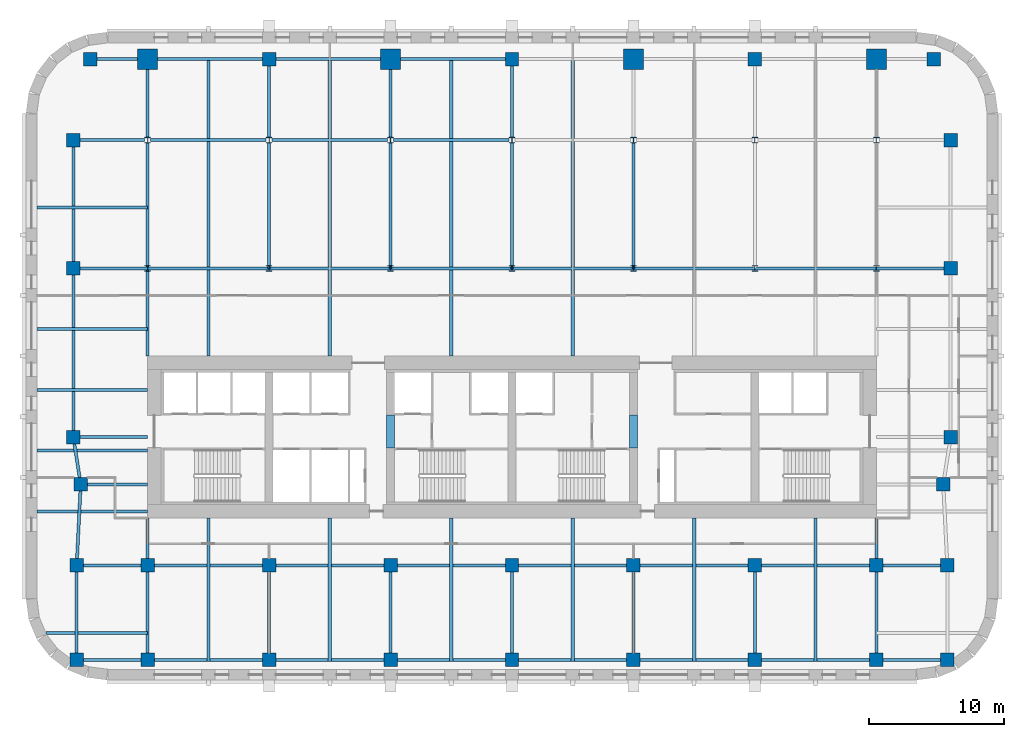
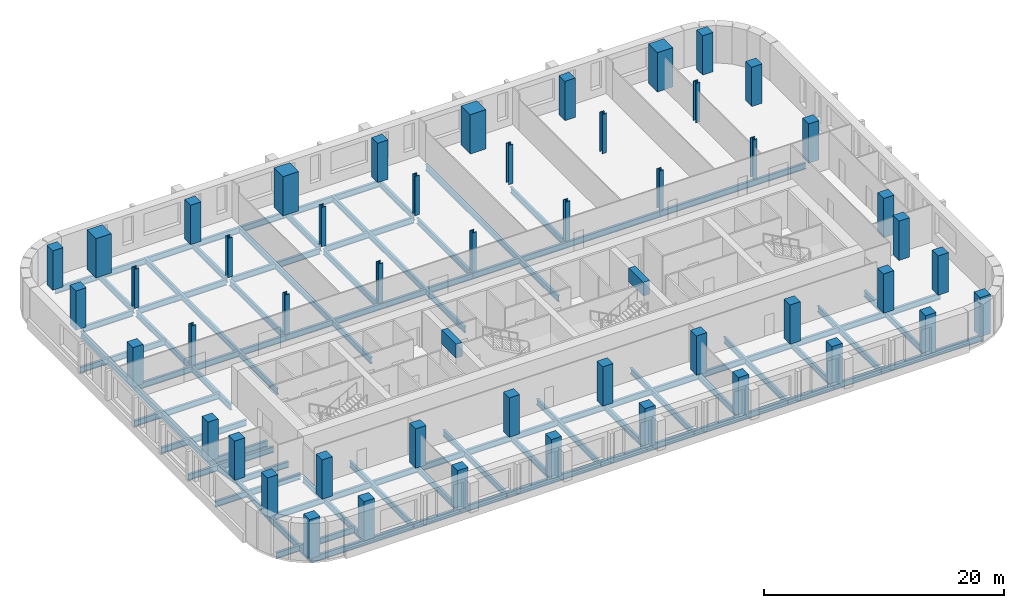
# One storey, part 1 of 9: 59 beams, 49 columns.
"""IFC4 building model written with IfcOpenShell, lengths in metres."""

from ifc_helpers import new_model, si_unit, direction, frame, origin, origin_2d, place, context, subcontext, project, spatial, rectangle, i_section, extrude, material, material_profile, profile_set, type_object, element, save


model = new_model("IFC4")

# Units and contexts
model_context = context("Model", 3, precision=1e-05, world=origin(), true_north=direction((0.0, 1.0)))
body_context = subcontext(model_context, "Body", "Model", "MODEL_VIEW")
ifc_project = project(units=[si_unit("LENGTHUNIT", "METRE"), si_unit("AREAUNIT", "SQUARE_METRE"), si_unit("VOLUMEUNIT", "CUBIC_METRE"), si_unit("PLANEANGLEUNIT", "RADIAN"), si_unit("MASSUNIT", "GRAM", prefix="KILO")], contexts=[model_context])

# Site, building, storey
site_placement = place(None, origin())
site = spatial("IfcSite", under=ifc_project, at=site_placement, CompositionType="ELEMENT")
building_placement = place(site_placement, origin())
building = spatial("IfcBuilding", under=site, at=building_placement, Name="Zellij Exchange Tower", CompositionType="ELEMENT")
storey_placement = place(building_placement, frame((0.0, 0.0, 148.5)))
storey = spatial("IfcBuildingStorey", under=building, at=storey_placement, Name="L33", CompositionType="ELEMENT", Elevation=148.5)

# Columns
ifc_material_1 = material(Name="Concrete C70/85", Category="concrete")
ifc_material_profile_1 = material_profile(ifc_material_1, rectangle(XDim=1.0, YDim=1.0, at=origin_2d()), Name="STR-COLUMN RC1000x1000 C70/85")
ifc_profile_set_1 = profile_set([ifc_material_profile_1], Name="Concrete C70/85")
column_type_1 = type_object("IfcColumnType", Name="STR-COLUMN RC1000x1000 C70/85", PredefinedType="COLUMN", material=ifc_profile_set_1)
for number, where, z_axis, x_axis, name in (
    (1, (-32.25, -24.5, 0.0), (0.0, 0.0, 1.0), (1.0, 0.0, 0.0), "C10"),
    (2, (-27.0, -24.5, 0.0), (0.0, 0.0, 1.0), (1.0, 0.0, 0.0), "C10"),
    (3, (-18.0, -24.5, 0.0), (0.0, 0.0, 1.0), (1.0, 0.0, 0.0), "C10"),
    (4, (-9.0, -24.5, 0.0), (0.0, 0.0, 1.0), (1.0, 0.0, 0.0), "C10"),
    (5, (0.0, -24.5, 0.0), (0.0, 0.0, 1.0), (1.0, 0.0, 0.0), "C10"),
    (6, (9.0, -24.5, 0.0), (0.0, 0.0, 1.0), (1.0, 0.0, 0.0), "C10"),
    (7, (18.0, -24.5, 0.0), (0.0, 0.0, 1.0), (1.0, 0.0, 0.0), "C10"),
    (8, (27.0, -24.5, 0.0), (0.0, 0.0, 1.0), (1.0, 0.0, 0.0), "C10"),
    (9, (32.25, -24.5, 0.0), (0.0, 0.0, 1.0), (1.0, 0.0, 0.0), "C10"),
    (10, (-32.25, -17.5, 0.0), (0.0, 0.0, 1.0), (1.0, 0.0, 0.0), "C10"),
    (11, (-27.0, -17.5, 0.0), (0.0, 0.0, 1.0), (1.0, 0.0, 0.0), "C10"),
    (12, (-18.0, -17.5, 0.0), (0.0, 0.0, 1.0), (1.0, 0.0, 0.0), "C10"),
    (13, (-9.0, -17.5, 0.0), (0.0, 0.0, 1.0), (1.0, 0.0, 0.0), "C10"),
    (14, (0.0, -17.5, 0.0), (0.0, 0.0, 1.0), (1.0, 0.0, 0.0), "C10"),
    (15, (9.0, -17.5, 0.0), (0.0, 0.0, 1.0), (1.0, 0.0, 0.0), "C10"),
    (16, (18.0, -17.5, 0.0), (0.0, 0.0, 1.0), (1.0, 0.0, 0.0), "C10"),
    (17, (27.0, -17.5, 0.0), (0.0, 0.0, 1.0), (1.0, 0.0, 0.0), "C10"),
    (18, (32.25, -17.5, 0.0), (0.0, 0.0, 1.0), (1.0, 0.0, 0.0), "C10"),
    (19, (-31.949951171875, -11.5, 0.0), (0.0, 0.0, 1.0), (1.0, 0.0, 0.0), "C10"),
    (20, (31.949951171875, -11.5, 0.0), (0.0, 0.0, 1.0), (1.0, 0.0, 0.0), "C10"),
    (21, (-32.5, -8.0, 0.0), (0.0, 0.0, 1.0), (1.0, 0.0, 0.0), "C10"),
    (22, (32.5, -8.0, 0.0), (0.0, 0.0, 1.0), (1.0, 0.0, 0.0), "C10"),
    (23, (-32.5, 4.5, 0.0), (0.0, 0.0, 1.0), (1.0, 0.0, 0.0), "C10"),
    (24, (32.5, 4.5, 0.0), (0.0, 0.0, 1.0), (1.0, 0.0, 0.0), "C10"),
    (25, (-32.5, 14.0, 0.0), (0.0, 0.0, 1.0), (1.0, 0.0, 0.0), "C10"),
    (26, (32.5, 14.0, 0.0), (0.0, 0.0, 1.0), (1.0, 0.0, 0.0), "C10"),
    (27, (-31.25, 20.0, 0.0), (0.0, 0.0, 1.0), (1.0, 0.0, 0.0), "C10"),
    (28, (-18.0, 20.0, 0.0), (0.0, 0.0, 1.0), (1.0, 0.0, 0.0), "C10"),
    (29, (0.0, 20.0, 0.0), (0.0, 0.0, 1.0), (1.0, 0.0, 0.0), "C10"),
    (30, (18.0, 20.0, 0.0), (0.0, 0.0, 1.0), (1.0, 0.0, 0.0), "C10"),
    (31, (31.25, 20.0, 0.0), (0.0, 0.0, 1.0), (1.0, 0.0, 0.0), "C10"),
):
    element("IfcColumn", number, at=place(storey_placement, frame(where, z_axis=z_axis, x_axis=x_axis)), inside=storey, type_object=column_type_1, Name=name, PredefinedType="COLUMN", context=body_context, shape_type="SweptSolid", body=[
        extrude(rectangle(XDim=1.0, YDim=1.0, at=origin_2d()), origin(), (0.0, 0.0, 1.0), 4.0),
    ])
ifc_material_2 = material(Name="Structural steel ASTM A913 Gr 65", Category="steel")
ifc_material_profile_2 = material_profile(ifc_material_2, i_section(OverallWidth=0.419189453125, OverallDepth=0.45458984375, WebThickness=0.042236328125, FlangeThickness=0.067626953125, at=origin_2d()), Name="W14x370")
ifc_profile_set_2 = profile_set([ifc_material_profile_2], Name="Structural steel ASTM A913 Gr 65")
column_type_2 = type_object("IfcColumnType", Name="STR-COLUMN W14x370", PredefinedType="COLUMN", material=ifc_profile_set_2)
for number, where, z_axis, x_axis, name in (
    (32, (-27.0, 4.5, 0.0), (0.0, 0.0, 1.0), (1.0, 0.0, 0.0), "C4"),
    (33, (-18.0, 4.5, 0.0), (0.0, 0.0, 1.0), (1.0, 0.0, 0.0), "C4"),
    (34, (-9.0, 4.5, 0.0), (0.0, 0.0, 1.0), (1.0, 0.0, 0.0), "C4"),
    (35, (0.0, 4.5, 0.0), (0.0, 0.0, 1.0), (1.0, 0.0, 0.0), "C4"),
    (36, (9.0, 4.5, 0.0), (0.0, 0.0, 1.0), (1.0, 0.0, 0.0), "C4"),
    (37, (18.0, 4.5, 0.0), (0.0, 0.0, 1.0), (1.0, 0.0, 0.0), "C4"),
    (38, (27.0, 4.5, 0.0), (0.0, 0.0, 1.0), (1.0, 0.0, 0.0), "C4"),
    (39, (-27.0, 14.0, 0.0), (0.0, 0.0, 1.0), (1.0, 0.0, 0.0), "C4"),
    (40, (-18.0, 14.0, 0.0), (0.0, 0.0, 1.0), (1.0, 0.0, 0.0), "C4"),
    (41, (-9.0, 14.0, 0.0), (0.0, 0.0, 1.0), (1.0, 0.0, 0.0), "C4"),
    (42, (0.0, 14.0, 0.0), (0.0, 0.0, 1.0), (1.0, 0.0, 0.0), "C4"),
    (43, (9.0, 14.0, 0.0), (0.0, 0.0, 1.0), (1.0, 0.0, 0.0), "C4"),
    (44, (18.0, 14.0, 0.0), (0.0, 0.0, 1.0), (1.0, 0.0, 0.0), "C4"),
    (45, (27.0, 14.0, 0.0), (0.0, 0.0, 1.0), (1.0, 0.0, 0.0), "C4"),
):
    element("IfcColumn", number, at=place(storey_placement, frame(where, z_axis=z_axis, x_axis=x_axis)), inside=storey, type_object=column_type_2, Name=name, PredefinedType="COLUMN", context=body_context, shape_type="SweptSolid", body=[
        extrude(i_section(OverallWidth=0.419189453125, OverallDepth=0.45458984375, WebThickness=0.042236328125, FlangeThickness=0.067626953125, at=origin_2d()), origin(), (0.0, 0.0, 1.0), 4.0),
    ])
ifc_material_profile_3 = material_profile(ifc_material_1, rectangle(XDim=1.5, YDim=1.5, at=origin_2d()), Name="STR-MEGA COLUMN RC1500x1500 C70/85")
ifc_profile_set_3 = profile_set([ifc_material_profile_3], Name="Concrete C70/85")
column_type_3 = type_object("IfcColumnType", Name="STR-MEGA COLUMN RC1500x1500 C70/85", PredefinedType="COLUMN", material=ifc_profile_set_3)
for number, where, z_axis, x_axis, name in (
    (46, (-27.0, 20.0, 0.0), (0.0, 0.0, 1.0), (1.0, 0.0, 0.0), "MC5"),
    (47, (-9.0, 20.0, 0.0), (0.0, 0.0, 1.0), (1.0, 0.0, 0.0), "MC5"),
    (48, (9.0, 20.0, 0.0), (0.0, 0.0, 1.0), (1.0, 0.0, 0.0), "MC5"),
    (49, (27.0, 20.0, 0.0), (0.0, 0.0, 1.0), (1.0, 0.0, 0.0), "MC5"),
):
    element("IfcColumn", number, at=place(storey_placement, frame(where, z_axis=z_axis, x_axis=x_axis)), inside=storey, type_object=column_type_3, Name=name, PredefinedType="COLUMN", context=body_context, shape_type="SweptSolid", body=[
        extrude(rectangle(XDim=1.5, YDim=1.5, at=origin_2d()), origin(), (0.0, 0.0, 1.0), 4.0),
    ])

# Beams
ifc_material_profile_4 = material_profile(ifc_material_1, rectangle(XDim=0.60009765625, YDim=1.39990234375, at=origin_2d()), Name="CORE-CB 600x1400 C70/85")
ifc_profile_set_4 = profile_set([ifc_material_profile_4], Name="Concrete C70/85")
beam_type_1 = type_object("IfcBeamType", Name="CORE-CB 600x1400 C70/85", PredefinedType="BEAM", material=ifc_profile_set_4)
for number, where, z_axis, x_axis, name in (
    (50, (-9.0, -8.800048828125, 3.10009765625), (0.0, 1.0, 0.0), (-1.0, 0.0, 0.0), "Core coupling beam x -9 L33"),
    (51, (9.0, -8.800048828125, 3.10009765625), (0.0, 1.0, 0.0), (-1.0, 0.0, 0.0), "Core coupling beam x 9 L33"),
):
    element("IfcBeam", number, at=place(storey_placement, frame(where, z_axis=z_axis, x_axis=x_axis)), inside=storey, type_object=beam_type_1, Name=name, PredefinedType="BEAM", context=body_context, shape_type="SweptSolid", body=[
        extrude(rectangle(XDim=0.60009765625, YDim=1.39990234375, at=origin_2d()), origin(), (0.0, 0.0, 1.0), 2.425048828125),
    ])
ifc_material_3 = material(Name="Structural steel ASTM A992 Gr 50", Category="steel")
ifc_material_profile_5 = material_profile(ifc_material_3, i_section(OverallWidth=0.227783203125, OverallDepth=0.60205078125, WebThickness=0.010498046875, FlangeThickness=0.014892578125, at=origin_2d()), Name="W24x68")
ifc_profile_set_5 = profile_set([ifc_material_profile_5], Name="Structural steel ASTM A992 Gr 50")
beam_type_2 = type_object("IfcBeamType", Name="STR-BEAM W24x68", PredefinedType="BEAM", material=ifc_profile_set_5)
beam_1_placement = place(storey_placement, frame((-22.5, -24.614501953125, -0.5009765625), z_axis=(0.0, 1.0, 0.0), x_axis=(-1.0, 0.0, 0.0)))
element("IfcBeam", 52, at=beam_1_placement, inside=storey, type_object=beam_type_2, Name="B5", PredefinedType="BEAM", context=body_context, shape_type="SweptSolid", body=[
    extrude(i_section(OverallWidth=0.227783203125, OverallDepth=0.60205078125, WebThickness=0.010498046875, FlangeThickness=0.014892578125, at=origin_2d()), origin(), (0.0, 0.0, 1.0), 10.614501953125),
])
beam_2_placement = place(storey_placement, frame((-22.5, -2.0, -0.5009765625), z_axis=(0.0, 1.0, 0.0), x_axis=(-1.0, 0.0, 0.0)))
element("IfcBeam", 53, at=beam_2_placement, inside=storey, type_object=beam_type_2, Name="B5", PredefinedType="BEAM", context=body_context, shape_type="SweptSolid", body=[
    extrude(i_section(OverallWidth=0.227783203125, OverallDepth=0.60205078125, WebThickness=0.010498046875, FlangeThickness=0.014892578125, at=origin_2d()), origin(), (0.0, 0.0, 1.0), 22.114501953125),
])
beam_3_placement = place(storey_placement, frame((-13.5, -24.614501953125, -0.5009765625), z_axis=(0.0, 1.0, 0.0), x_axis=(-1.0, 0.0, 0.0)))
element("IfcBeam", 54, at=beam_3_placement, inside=storey, type_object=beam_type_2, Name="B5", PredefinedType="BEAM", context=body_context, shape_type="SweptSolid", body=[
    extrude(i_section(OverallWidth=0.227783203125, OverallDepth=0.60205078125, WebThickness=0.010498046875, FlangeThickness=0.014892578125, at=origin_2d()), origin(), (0.0, 0.0, 1.0), 10.614501953125),
])
beam_4_placement = place(storey_placement, frame((-13.5, -2.0, -0.5009765625), z_axis=(0.0, 1.0, 0.0), x_axis=(-1.0, 0.0, 0.0)))
element("IfcBeam", 55, at=beam_4_placement, inside=storey, type_object=beam_type_2, Name="B5", PredefinedType="BEAM", context=body_context, shape_type="SweptSolid", body=[
    extrude(i_section(OverallWidth=0.227783203125, OverallDepth=0.60205078125, WebThickness=0.010498046875, FlangeThickness=0.014892578125, at=origin_2d()), origin(), (0.0, 0.0, 1.0), 22.114501953125),
])
beam_5_placement = place(storey_placement, frame((-4.5, -24.614501953125, -0.5009765625), z_axis=(0.0, 1.0, 0.0), x_axis=(-1.0, 0.0, 0.0)))
element("IfcBeam", 56, at=beam_5_placement, inside=storey, type_object=beam_type_2, Name="B5", PredefinedType="BEAM", context=body_context, shape_type="SweptSolid", body=[
    extrude(i_section(OverallWidth=0.227783203125, OverallDepth=0.60205078125, WebThickness=0.010498046875, FlangeThickness=0.014892578125, at=origin_2d()), origin(), (0.0, 0.0, 1.0), 10.614501953125),
])
beam_6_placement = place(storey_placement, frame((-4.5, -2.0, -0.5009765625), z_axis=(0.0, 1.0, 0.0), x_axis=(-1.0, 0.0, 0.0)))
element("IfcBeam", 57, at=beam_6_placement, inside=storey, type_object=beam_type_2, Name="B5", PredefinedType="BEAM", context=body_context, shape_type="SweptSolid", body=[
    extrude(i_section(OverallWidth=0.227783203125, OverallDepth=0.60205078125, WebThickness=0.010498046875, FlangeThickness=0.014892578125, at=origin_2d()), origin(), (0.0, 0.0, 1.0), 22.114501953125),
])
beam_7_placement = place(storey_placement, frame((4.5, -24.614501953125, -0.5009765625), z_axis=(0.0, 1.0, 0.0), x_axis=(-1.0, 0.0, 0.0)))
element("IfcBeam", 58, at=beam_7_placement, inside=storey, type_object=beam_type_2, Name="B5", PredefinedType="BEAM", context=body_context, shape_type="SweptSolid", body=[
    extrude(i_section(OverallWidth=0.227783203125, OverallDepth=0.60205078125, WebThickness=0.010498046875, FlangeThickness=0.014892578125, at=origin_2d()), origin(), (0.0, 0.0, 1.0), 10.614501953125),
])
beam_8_placement = place(storey_placement, frame((4.5, -2.0, -0.5009765625), z_axis=(0.0, 1.0, 0.0), x_axis=(-1.0, 0.0, 0.0)))
element("IfcBeam", 59, at=beam_8_placement, inside=storey, type_object=beam_type_2, Name="B5", PredefinedType="BEAM", context=body_context, shape_type="SweptSolid", body=[
    extrude(i_section(OverallWidth=0.227783203125, OverallDepth=0.60205078125, WebThickness=0.010498046875, FlangeThickness=0.014892578125, at=origin_2d()), origin(), (0.0, 0.0, 1.0), 22.114501953125),
])
for number, where, z_axis, x_axis, name in (
    (60, (13.5, -24.614501953125, -0.5009765625), (0.0, 1.0, 0.0), (-1.0, 0.0, 0.0), "B5"),
    (61, (22.5, -24.614501953125, -0.5009765625), (0.0, 1.0, 0.0), (-1.0, 0.0, 0.0), "B5"),
):
    element("IfcBeam", number, at=place(storey_placement, frame(where, z_axis=z_axis, x_axis=x_axis)), inside=storey, type_object=beam_type_2, Name=name, PredefinedType="BEAM", context=body_context, shape_type="SweptSolid", body=[
        extrude(i_section(OverallWidth=0.227783203125, OverallDepth=0.60205078125, WebThickness=0.010498046875, FlangeThickness=0.014892578125, at=origin_2d()), origin(), (0.0, 0.0, 1.0), 10.614501953125),
    ])
beam_9_placement = place(storey_placement, frame((-34.537109375, -22.5, -0.5009765625), z_axis=(1.0, 0.0, 0.0), x_axis=(0.0, 1.0, 0.0)))
element("IfcBeam", 62, at=beam_9_placement, inside=storey, type_object=beam_type_2, Name="B5", PredefinedType="BEAM", context=body_context, shape_type="SweptSolid", body=[
    extrude(i_section(OverallWidth=0.227783203125, OverallDepth=0.60205078125, WebThickness=0.010498046875, FlangeThickness=0.014892578125, at=origin_2d()), origin(), (0.0, 0.0, 1.0), 7.537109375),
])
for number, where, z_axis, x_axis, name in (
    (63, (-35.199951171875, -13.5, -0.5009765625), (1.0, 0.0, 0.0), (0.0, 1.0, 0.0), "B5"),
    (64, (-35.199951171875, -9.0, -0.5009765625), (1.0, 0.0, 0.0), (0.0, 1.0, 0.0), "B5"),
    (65, (-35.199951171875, -4.5, -0.5009765625), (1.0, 0.0, 0.0), (0.0, 1.0, 0.0), "B5"),
    (66, (-35.199951171875, 0.0, -0.5009765625), (1.0, 0.0, 0.0), (0.0, 1.0, 0.0), "B5"),
    (67, (-35.199951171875, 9.0, -0.5009765625), (1.0, 0.0, 0.0), (0.0, 1.0, 0.0), "B5"),
):
    element("IfcBeam", number, at=place(storey_placement, frame(where, z_axis=z_axis, x_axis=x_axis)), inside=storey, type_object=beam_type_2, Name=name, PredefinedType="BEAM", context=body_context, shape_type="SweptSolid", body=[
        extrude(i_section(OverallWidth=0.227783203125, OverallDepth=0.60205078125, WebThickness=0.010498046875, FlangeThickness=0.014892578125, at=origin_2d()), origin(), (0.0, 0.0, 1.0), 8.199951171875),
    ])
ifc_material_profile_6 = material_profile(ifc_material_3, i_section(OverallWidth=0.22900390625, OverallDepth=0.612060546875, WebThickness=0.011962890625, FlangeThickness=0.01953125, at=origin_2d()), Name="W24x84")
ifc_profile_set_6 = profile_set([ifc_material_profile_6], Name="Structural steel ASTM A992 Gr 50")
beam_type_3 = type_object("IfcBeamType", Name="STR-EDGE GIRDER W24x84", PredefinedType="BEAM", material=ifc_profile_set_6)
beam_10_placement = place(storey_placement, frame((-32.25, -24.5, -0.506103515625), z_axis=(0.0, 1.0, 0.0), x_axis=(-1.0, 0.0, 0.0)))
element("IfcBeam", 68, at=beam_10_placement, inside=storey, type_object=beam_type_3, Name="EB6", PredefinedType="BEAM", context=body_context, shape_type="SweptSolid", body=[
    extrude(i_section(OverallWidth=0.22900390625, OverallDepth=0.612060546875, WebThickness=0.011962890625, FlangeThickness=0.01953125, at=origin_2d()), origin(), (0.0, 0.0, 1.0), 7.0),
])
beam_11_placement = place(storey_placement, frame((-32.25, -17.5, -0.506103515625), z_axis=(0.049945724537, 0.998751933465, 0.0), x_axis=(-0.998751933465, 0.049945724537, 0.0)))
element("IfcBeam", 69, at=beam_11_placement, inside=storey, type_object=beam_type_3, Name="EB6", PredefinedType="BEAM", context=body_context, shape_type="SweptSolid", body=[
    extrude(i_section(OverallWidth=0.22900390625, OverallDepth=0.612060546875, WebThickness=0.011962890625, FlangeThickness=0.01953125, at=origin_2d()), origin(), (0.0, 0.0, 1.0), 6.007568359375),
])
beam_12_placement = place(storey_placement, frame((-31.949951171875, -11.5, -0.506103515625), z_axis=(-0.155251283593, 0.987875011802, 0.0), x_axis=(-0.987875011802, -0.155251283593, 0.0)))
element("IfcBeam", 70, at=beam_12_placement, inside=storey, type_object=beam_type_3, Name="EB6", PredefinedType="BEAM", context=body_context, shape_type="SweptSolid", body=[
    extrude(i_section(OverallWidth=0.22900390625, OverallDepth=0.612060546875, WebThickness=0.011962890625, FlangeThickness=0.01953125, at=origin_2d()), origin(), (0.0, 0.0, 1.0), 3.54296875),
])
beam_13_placement = place(storey_placement, frame((-32.5, -8.0, -0.506103515625), z_axis=(0.0, 1.0, 0.0), x_axis=(-1.0, 0.0, 0.0)))
element("IfcBeam", 71, at=beam_13_placement, inside=storey, type_object=beam_type_3, Name="EB6", PredefinedType="BEAM", context=body_context, shape_type="SweptSolid", body=[
    extrude(i_section(OverallWidth=0.22900390625, OverallDepth=0.612060546875, WebThickness=0.011962890625, FlangeThickness=0.01953125, at=origin_2d()), origin(), (0.0, 0.0, 1.0), 12.5),
])
beam_14_placement = place(storey_placement, frame((-32.5, 4.5, -0.506103515625), z_axis=(0.0, 1.0, 0.0), x_axis=(-1.0, 0.0, 0.0)))
element("IfcBeam", 72, at=beam_14_placement, inside=storey, type_object=beam_type_3, Name="EB6", PredefinedType="BEAM", context=body_context, shape_type="SweptSolid", body=[
    extrude(i_section(OverallWidth=0.22900390625, OverallDepth=0.612060546875, WebThickness=0.011962890625, FlangeThickness=0.01953125, at=origin_2d()), origin(), (0.0, 0.0, 1.0), 9.0),
])
ifc_material_profile_7 = material_profile(ifc_material_3, i_section(OverallWidth=0.22900390625, OverallDepth=0.612060546875, WebThickness=0.011962890625, FlangeThickness=0.01953125, at=origin_2d()), Name="W24x84")
ifc_profile_set_7 = profile_set([ifc_material_profile_7], Name="Structural steel ASTM A992 Gr 50")
beam_type_4 = type_object("IfcBeamType", Name="STR-GIRDER W24x84", PredefinedType="BEAM", material=ifc_profile_set_7)
beam_15_placement = place(storey_placement, frame((-32.25, -24.5, -0.506103515625), z_axis=(1.0, 0.0, 0.0), x_axis=(0.0, 1.0, 0.0)))
element("IfcBeam", 73, at=beam_15_placement, inside=storey, type_object=beam_type_4, Name="G4", PredefinedType="BEAM", context=body_context, shape_type="SweptSolid", body=[
    extrude(i_section(OverallWidth=0.22900390625, OverallDepth=0.612060546875, WebThickness=0.011962890625, FlangeThickness=0.01953125, at=origin_2d()), origin(), (0.0, 0.0, 1.0), 14.25),
])
for number, where, z_axis, x_axis, name in (
    (74, (-18.0, -24.5, -0.506103515625), (1.0, 0.0, 0.0), (0.0, 1.0, 0.0), "G4"),
    (75, (0.0, -24.5, -0.506103515625), (1.0, 0.0, 0.0), (0.0, 1.0, 0.0), "G4"),
):
    element("IfcBeam", number, at=place(storey_placement, frame(where, z_axis=z_axis, x_axis=x_axis)), inside=storey, type_object=beam_type_4, Name=name, PredefinedType="BEAM", context=body_context, shape_type="SweptSolid", body=[
        extrude(i_section(OverallWidth=0.22900390625, OverallDepth=0.612060546875, WebThickness=0.011962890625, FlangeThickness=0.01953125, at=origin_2d()), origin(), (0.0, 0.0, 1.0), 18.0),
    ])
for number, where, z_axis, x_axis, name in (
    (76, (18.0, -24.5, -0.506103515625), (1.0, 0.0, 0.0), (0.0, 1.0, 0.0), "G4"),
    (77, (-32.25, -17.5, -0.506103515625), (1.0, 0.0, 0.0), (0.0, 1.0, 0.0), "G4"),
):
    element("IfcBeam", number, at=place(storey_placement, frame(where, z_axis=z_axis, x_axis=x_axis)), inside=storey, type_object=beam_type_4, Name=name, PredefinedType="BEAM", context=body_context, shape_type="SweptSolid", body=[
        extrude(i_section(OverallWidth=0.22900390625, OverallDepth=0.612060546875, WebThickness=0.011962890625, FlangeThickness=0.01953125, at=origin_2d()), origin(), (0.0, 0.0, 1.0), 14.25),
    ])
for number, where, z_axis, x_axis, name in (
    (78, (-18.0, -17.5, -0.506103515625), (1.0, 0.0, 0.0), (0.0, 1.0, 0.0), "G4"),
    (79, (0.0, -17.5, -0.506103515625), (1.0, 0.0, 0.0), (0.0, 1.0, 0.0), "G4"),
):
    element("IfcBeam", number, at=place(storey_placement, frame(where, z_axis=z_axis, x_axis=x_axis)), inside=storey, type_object=beam_type_4, Name=name, PredefinedType="BEAM", context=body_context, shape_type="SweptSolid", body=[
        extrude(i_section(OverallWidth=0.22900390625, OverallDepth=0.612060546875, WebThickness=0.011962890625, FlangeThickness=0.01953125, at=origin_2d()), origin(), (0.0, 0.0, 1.0), 18.0),
    ])
beam_16_placement = place(storey_placement, frame((18.0, -17.5, -0.506103515625), z_axis=(1.0, 0.0, 0.0), x_axis=(0.0, 1.0, 0.0)))
element("IfcBeam", 80, at=beam_16_placement, inside=storey, type_object=beam_type_4, Name="G4", PredefinedType="BEAM", context=body_context, shape_type="SweptSolid", body=[
    extrude(i_section(OverallWidth=0.22900390625, OverallDepth=0.612060546875, WebThickness=0.011962890625, FlangeThickness=0.01953125, at=origin_2d()), origin(), (0.0, 0.0, 1.0), 14.25),
])
beam_17_placement = place(storey_placement, frame((-31.949951171875, -11.5, -0.506103515625), z_axis=(1.0, 0.0, 0.0), x_axis=(0.0, 1.0, 0.0)))
element("IfcBeam", 81, at=beam_17_placement, inside=storey, type_object=beam_type_4, Name="G4", PredefinedType="BEAM", context=body_context, shape_type="SweptSolid", body=[
    extrude(i_section(OverallWidth=0.22900390625, OverallDepth=0.612060546875, WebThickness=0.011962890625, FlangeThickness=0.01953125, at=origin_2d()), origin(), (0.0, 0.0, 1.0), 4.949951171875),
])
beam_18_placement = place(storey_placement, frame((-32.5, -8.0, -0.506103515625), z_axis=(1.0, 0.0, 0.0), x_axis=(0.0, 1.0, 0.0)))
element("IfcBeam", 82, at=beam_18_placement, inside=storey, type_object=beam_type_4, Name="G4", PredefinedType="BEAM", context=body_context, shape_type="SweptSolid", body=[
    extrude(i_section(OverallWidth=0.22900390625, OverallDepth=0.612060546875, WebThickness=0.011962890625, FlangeThickness=0.01953125, at=origin_2d()), origin(), (0.0, 0.0, 1.0), 5.5),
])
beam_19_placement = place(storey_placement, frame((-32.5, 4.5, -0.506103515625), z_axis=(1.0, 0.0, 0.0), x_axis=(0.0, 1.0, 0.0)))
element("IfcBeam", 83, at=beam_19_placement, inside=storey, type_object=beam_type_4, Name="G4", PredefinedType="BEAM", context=body_context, shape_type="SweptSolid", body=[
    extrude(i_section(OverallWidth=0.22900390625, OverallDepth=0.612060546875, WebThickness=0.011962890625, FlangeThickness=0.01953125, at=origin_2d()), origin(), (0.0, 0.0, 1.0), 14.5),
])
for number, where, z_axis, x_axis, name in (
    (84, (-18.0, 4.5, -0.506103515625), (1.0, 0.0, 0.0), (0.0, 1.0, 0.0), "G4"),
    (85, (0.0, 4.5, -0.506103515625), (1.0, 0.0, 0.0), (0.0, 1.0, 0.0), "G4"),
):
    element("IfcBeam", number, at=place(storey_placement, frame(where, z_axis=z_axis, x_axis=x_axis)), inside=storey, type_object=beam_type_4, Name=name, PredefinedType="BEAM", context=body_context, shape_type="SweptSolid", body=[
        extrude(i_section(OverallWidth=0.22900390625, OverallDepth=0.612060546875, WebThickness=0.011962890625, FlangeThickness=0.01953125, at=origin_2d()), origin(), (0.0, 0.0, 1.0), 18.0),
    ])
beam_20_placement = place(storey_placement, frame((18.0, 4.5, -0.506103515625), z_axis=(1.0, 0.0, 0.0), x_axis=(0.0, 1.0, 0.0)))
element("IfcBeam", 86, at=beam_20_placement, inside=storey, type_object=beam_type_4, Name="G4", PredefinedType="BEAM", context=body_context, shape_type="SweptSolid", body=[
    extrude(i_section(OverallWidth=0.22900390625, OverallDepth=0.612060546875, WebThickness=0.011962890625, FlangeThickness=0.01953125, at=origin_2d()), origin(), (0.0, 0.0, 1.0), 14.0),
])
beam_21_placement = place(storey_placement, frame((-32.0, 14.0, -0.506103515625), z_axis=(1.0, 0.0, 0.0), x_axis=(0.0, 1.0, 0.0)))
element("IfcBeam", 87, at=beam_21_placement, inside=storey, type_object=beam_type_4, Name="G4", PredefinedType="BEAM", context=body_context, shape_type="SweptSolid", body=[
    extrude(i_section(OverallWidth=0.22900390625, OverallDepth=0.612060546875, WebThickness=0.011962890625, FlangeThickness=0.01953125, at=origin_2d()), origin(), (0.0, 0.0, 1.0), 4.790283203125),
])
for number, where, z_axis, x_axis, name in (
    (88, (-26.790283203125, 14.0, -0.506103515625), (1.0, 0.0, 0.0), (0.0, 1.0, 0.0), "G4"),
    (89, (-17.790283203125, 14.0, -0.506103515625), (1.0, 0.0, 0.0), (0.0, 1.0, 0.0), "G4"),
):
    element("IfcBeam", number, at=place(storey_placement, frame(where, z_axis=z_axis, x_axis=x_axis)), inside=storey, type_object=beam_type_4, Name=name, PredefinedType="BEAM", context=body_context, shape_type="SweptSolid", body=[
        extrude(i_section(OverallWidth=0.22900390625, OverallDepth=0.612060546875, WebThickness=0.011962890625, FlangeThickness=0.01953125, at=origin_2d()), origin(), (0.0, 0.0, 1.0), 8.58056640625),
    ])
beam_22_placement = place(storey_placement, frame((-8.790283203125, 14.0, -0.506103515625), z_axis=(1.0, 0.0, 0.0), x_axis=(0.0, 1.0, 0.0)))
element("IfcBeam", 90, at=beam_22_placement, inside=storey, type_object=beam_type_4, Name="G4", PredefinedType="BEAM", context=body_context, shape_type="SweptSolid", body=[
    extrude(i_section(OverallWidth=0.22900390625, OverallDepth=0.612060546875, WebThickness=0.011962890625, FlangeThickness=0.01953125, at=origin_2d()), origin(), (0.0, 0.0, 1.0), 8.580810546875),
])
beam_23_placement = place(storey_placement, frame((-31.25, 20.0, -0.506103515625), z_axis=(1.0, 0.0, 0.0), x_axis=(0.0, 1.0, 0.0)))
element("IfcBeam", 91, at=beam_23_placement, inside=storey, type_object=beam_type_4, Name="G4", PredefinedType="BEAM", context=body_context, shape_type="SweptSolid", body=[
    extrude(i_section(OverallWidth=0.22900390625, OverallDepth=0.612060546875, WebThickness=0.011962890625, FlangeThickness=0.01953125, at=origin_2d()), origin(), (0.0, 0.0, 1.0), 13.25),
])
beam_24_placement = place(storey_placement, frame((-18.0, 20.0, -0.506103515625), z_axis=(1.0, 0.0, 0.0), x_axis=(0.0, 1.0, 0.0)))
element("IfcBeam", 92, at=beam_24_placement, inside=storey, type_object=beam_type_4, Name="G4", PredefinedType="BEAM", context=body_context, shape_type="SweptSolid", body=[
    extrude(i_section(OverallWidth=0.22900390625, OverallDepth=0.612060546875, WebThickness=0.011962890625, FlangeThickness=0.01953125, at=origin_2d()), origin(), (0.0, 0.0, 1.0), 18.0),
])
beam_25_placement = place(storey_placement, frame((-27.0, -24.5, -0.506103515625), z_axis=(0.0, 1.0, 0.0), x_axis=(-1.0, 0.0, 0.0)))
element("IfcBeam", 93, at=beam_25_placement, inside=storey, type_object=beam_type_4, Name="G4", PredefinedType="BEAM", context=body_context, shape_type="SweptSolid", body=[
    extrude(i_section(OverallWidth=0.22900390625, OverallDepth=0.612060546875, WebThickness=0.011962890625, FlangeThickness=0.01953125, at=origin_2d()), origin(), (0.0, 0.0, 1.0), 10.5),
])
beam_26_placement = place(storey_placement, frame((-27.0, -2.0, -0.506103515625), z_axis=(0.0, 1.0, 0.0), x_axis=(-1.0, 0.0, 0.0)))
element("IfcBeam", 94, at=beam_26_placement, inside=storey, type_object=beam_type_4, Name="G4", PredefinedType="BEAM", context=body_context, shape_type="SweptSolid", body=[
    extrude(i_section(OverallWidth=0.22900390625, OverallDepth=0.612060546875, WebThickness=0.011962890625, FlangeThickness=0.01953125, at=origin_2d()), origin(), (0.0, 0.0, 1.0), 15.772705078125),
])
beam_27_placement = place(storey_placement, frame((-27.0, 14.227294921875, -0.506103515625), z_axis=(0.0, 1.0, 0.0), x_axis=(-1.0, 0.0, 0.0)))
element("IfcBeam", 95, at=beam_27_placement, inside=storey, type_object=beam_type_4, Name="G4", PredefinedType="BEAM", context=body_context, shape_type="SweptSolid", body=[
    extrude(i_section(OverallWidth=0.22900390625, OverallDepth=0.612060546875, WebThickness=0.011962890625, FlangeThickness=0.01953125, at=origin_2d()), origin(), (0.0, 0.0, 1.0), 5.772705078125),
])
beam_28_placement = place(storey_placement, frame((-18.0, -24.5, -0.506103515625), z_axis=(0.0, 1.0, 0.0), x_axis=(-1.0, 0.0, 0.0)))
element("IfcBeam", 96, at=beam_28_placement, inside=storey, type_object=beam_type_4, Name="G4", PredefinedType="BEAM", context=body_context, shape_type="SweptSolid", body=[
    extrude(i_section(OverallWidth=0.22900390625, OverallDepth=0.612060546875, WebThickness=0.011962890625, FlangeThickness=0.01953125, at=origin_2d()), origin(), (0.0, 0.0, 1.0), 7.0),
])
beam_29_placement = place(storey_placement, frame((-18.0, 4.5, -0.506103515625), z_axis=(0.0, 1.0, 0.0), x_axis=(-1.0, 0.0, 0.0)))
element("IfcBeam", 97, at=beam_29_placement, inside=storey, type_object=beam_type_4, Name="G4", PredefinedType="BEAM", context=body_context, shape_type="SweptSolid", body=[
    extrude(i_section(OverallWidth=0.22900390625, OverallDepth=0.612060546875, WebThickness=0.011962890625, FlangeThickness=0.01953125, at=origin_2d()), origin(), (0.0, 0.0, 1.0), 9.272705078125),
])
beam_30_placement = place(storey_placement, frame((-18.0, 14.227294921875, -0.506103515625), z_axis=(0.0, 1.0, 0.0), x_axis=(-1.0, 0.0, 0.0)))
element("IfcBeam", 98, at=beam_30_placement, inside=storey, type_object=beam_type_4, Name="G4", PredefinedType="BEAM", context=body_context, shape_type="SweptSolid", body=[
    extrude(i_section(OverallWidth=0.22900390625, OverallDepth=0.612060546875, WebThickness=0.011962890625, FlangeThickness=0.01953125, at=origin_2d()), origin(), (0.0, 0.0, 1.0), 5.772705078125),
])
beam_31_placement = place(storey_placement, frame((-9.0, -24.5, -0.506103515625), z_axis=(0.0, 1.0, 0.0), x_axis=(-1.0, 0.0, 0.0)))
element("IfcBeam", 99, at=beam_31_placement, inside=storey, type_object=beam_type_4, Name="G4", PredefinedType="BEAM", context=body_context, shape_type="SweptSolid", body=[
    extrude(i_section(OverallWidth=0.22900390625, OverallDepth=0.612060546875, WebThickness=0.011962890625, FlangeThickness=0.01953125, at=origin_2d()), origin(), (0.0, 0.0, 1.0), 7.0),
])
beam_32_placement = place(storey_placement, frame((-9.0, 4.5, -0.506103515625), z_axis=(0.0, 1.0, 0.0), x_axis=(-1.0, 0.0, 0.0)))
element("IfcBeam", 100, at=beam_32_placement, inside=storey, type_object=beam_type_4, Name="G4", PredefinedType="BEAM", context=body_context, shape_type="SweptSolid", body=[
    extrude(i_section(OverallWidth=0.22900390625, OverallDepth=0.612060546875, WebThickness=0.011962890625, FlangeThickness=0.01953125, at=origin_2d()), origin(), (0.0, 0.0, 1.0), 9.272705078125),
])
beam_33_placement = place(storey_placement, frame((-9.0, 14.227294921875, -0.506103515625), z_axis=(0.0, 1.0, 0.0), x_axis=(-1.0, 0.0, 0.0)))
element("IfcBeam", 101, at=beam_33_placement, inside=storey, type_object=beam_type_4, Name="G4", PredefinedType="BEAM", context=body_context, shape_type="SweptSolid", body=[
    extrude(i_section(OverallWidth=0.22900390625, OverallDepth=0.612060546875, WebThickness=0.011962890625, FlangeThickness=0.01953125, at=origin_2d()), origin(), (0.0, 0.0, 1.0), 5.772705078125),
])
beam_34_placement = place(storey_placement, frame((0.0, -24.5, -0.506103515625), z_axis=(0.0, 1.0, 0.0), x_axis=(-1.0, 0.0, 0.0)))
element("IfcBeam", 102, at=beam_34_placement, inside=storey, type_object=beam_type_4, Name="G4", PredefinedType="BEAM", context=body_context, shape_type="SweptSolid", body=[
    extrude(i_section(OverallWidth=0.22900390625, OverallDepth=0.612060546875, WebThickness=0.011962890625, FlangeThickness=0.01953125, at=origin_2d()), origin(), (0.0, 0.0, 1.0), 7.0),
])
beam_35_placement = place(storey_placement, frame((0.0, 4.5, -0.506103515625), z_axis=(0.0, 1.0, 0.0), x_axis=(-1.0, 0.0, 0.0)))
element("IfcBeam", 103, at=beam_35_placement, inside=storey, type_object=beam_type_4, Name="G4", PredefinedType="BEAM", context=body_context, shape_type="SweptSolid", body=[
    extrude(i_section(OverallWidth=0.22900390625, OverallDepth=0.612060546875, WebThickness=0.011962890625, FlangeThickness=0.01953125, at=origin_2d()), origin(), (0.0, 0.0, 1.0), 9.272705078125),
])
beam_36_placement = place(storey_placement, frame((0.0, 14.227294921875, -0.506103515625), z_axis=(0.0, 1.0, 0.0), x_axis=(-1.0, 0.0, 0.0)))
element("IfcBeam", 104, at=beam_36_placement, inside=storey, type_object=beam_type_4, Name="G4", PredefinedType="BEAM", context=body_context, shape_type="SweptSolid", body=[
    extrude(i_section(OverallWidth=0.22900390625, OverallDepth=0.612060546875, WebThickness=0.011962890625, FlangeThickness=0.01953125, at=origin_2d()), origin(), (0.0, 0.0, 1.0), 5.772705078125),
])
beam_37_placement = place(storey_placement, frame((9.0, -24.5, -0.506103515625), z_axis=(0.0, 1.0, 0.0), x_axis=(-1.0, 0.0, 0.0)))
element("IfcBeam", 105, at=beam_37_placement, inside=storey, type_object=beam_type_4, Name="G4", PredefinedType="BEAM", context=body_context, shape_type="SweptSolid", body=[
    extrude(i_section(OverallWidth=0.22900390625, OverallDepth=0.612060546875, WebThickness=0.011962890625, FlangeThickness=0.01953125, at=origin_2d()), origin(), (0.0, 0.0, 1.0), 7.0),
])
beam_38_placement = place(storey_placement, frame((9.0, 4.5, -0.506103515625), z_axis=(0.0, 1.0, 0.0), x_axis=(-1.0, 0.0, 0.0)))
element("IfcBeam", 106, at=beam_38_placement, inside=storey, type_object=beam_type_4, Name="G4", PredefinedType="BEAM", context=body_context, shape_type="SweptSolid", body=[
    extrude(i_section(OverallWidth=0.22900390625, OverallDepth=0.612060546875, WebThickness=0.011962890625, FlangeThickness=0.01953125, at=origin_2d()), origin(), (0.0, 0.0, 1.0), 9.272705078125),
])
beam_39_placement = place(storey_placement, frame((18.0, -24.5, -0.506103515625), z_axis=(0.0, 1.0, 0.0), x_axis=(-1.0, 0.0, 0.0)))
element("IfcBeam", 107, at=beam_39_placement, inside=storey, type_object=beam_type_4, Name="G4", PredefinedType="BEAM", context=body_context, shape_type="SweptSolid", body=[
    extrude(i_section(OverallWidth=0.22900390625, OverallDepth=0.612060546875, WebThickness=0.011962890625, FlangeThickness=0.01953125, at=origin_2d()), origin(), (0.0, 0.0, 1.0), 7.0),
])
beam_40_placement = place(storey_placement, frame((27.0, -24.5, -0.506103515625), z_axis=(0.0, 1.0, 0.0), x_axis=(-1.0, 0.0, 0.0)))
element("IfcBeam", 108, at=beam_40_placement, inside=storey, type_object=beam_type_4, Name="G4", PredefinedType="BEAM", context=body_context, shape_type="SweptSolid", body=[
    extrude(i_section(OverallWidth=0.22900390625, OverallDepth=0.612060546875, WebThickness=0.011962890625, FlangeThickness=0.01953125, at=origin_2d()), origin(), (0.0, 0.0, 1.0), 10.5),
])

save(model, "model.ifc")
